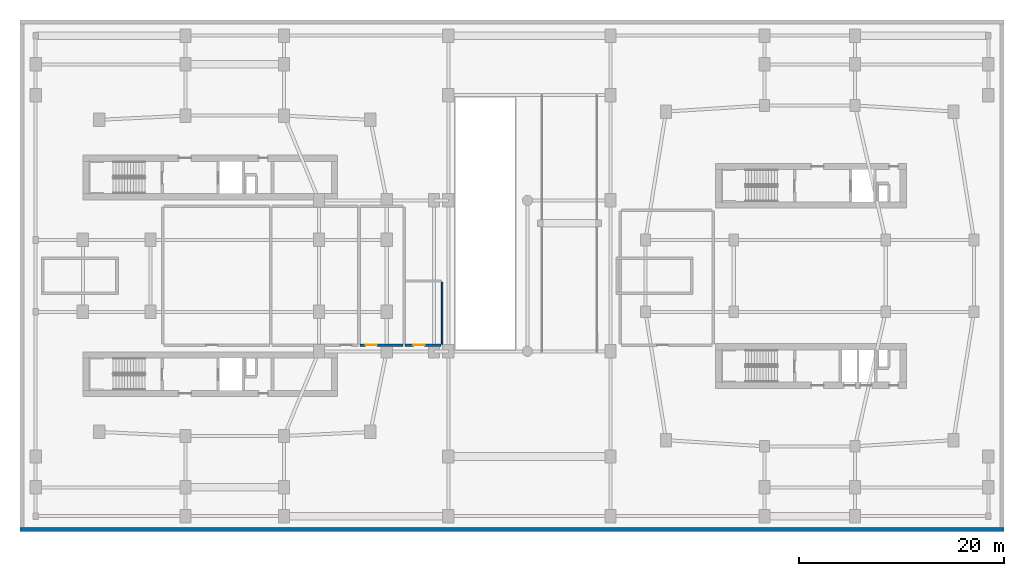
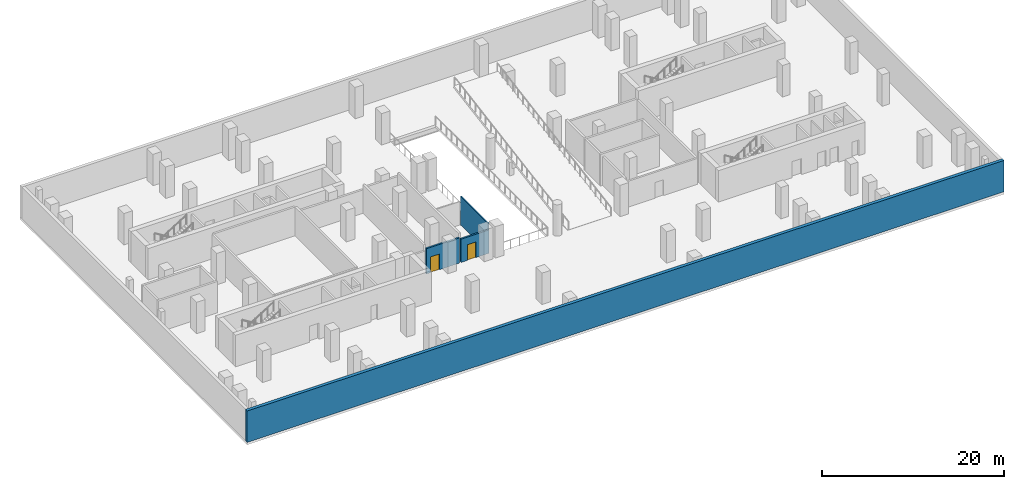
# One storey, part 5 of 13: 4 walls, 2 doors, 2 openings.
"""IFC4 building model written with IfcOpenShell, lengths in metres."""

from ifc_helpers import new_model, si_unit, derived_unit, direction, frame, frame_2d, origin, place, context, subcontext, project, spatial, rectangle, extrude, material, layer, layer_set, type_object, element, fill, save


model = new_model("IFC4")

# Units and contexts
model_context = context("Model", 3, precision=1e-05, world=origin(), true_north=direction((0.0, 1.0)))
body_context = subcontext(model_context, "Body", "Model", "MODEL_VIEW")
ifc_project = project(units=[si_unit("LENGTHUNIT", "METRE"), si_unit("AREAUNIT", "SQUARE_METRE"), si_unit("VOLUMEUNIT", "CUBIC_METRE"), si_unit("PLANEANGLEUNIT", "RADIAN"), si_unit("MASSUNIT", "GRAM", prefix="KILO"), derived_unit("THERMALTRANSMITTANCEUNIT", [(si_unit("POWERUNIT", "WATT"), 1), (si_unit("LENGTHUNIT", "METRE"), -2), (si_unit("THERMODYNAMICTEMPERATUREUNIT", "KELVIN"), -1)])], contexts=[model_context])

# Site, building, storey
site_placement = place(None, origin())
site = spatial("IfcSite", under=ifc_project, at=site_placement, CompositionType="ELEMENT")
building_placement = place(site_placement, origin())
building = spatial("IfcBuilding", under=site, at=building_placement, Name="Kivonza Crest Hotel", CompositionType="ELEMENT")
storey_placement = place(building_placement, frame((0.0, 0.0, -4.199951171875)))
storey = spatial("IfcBuildingStorey", under=building, at=storey_placement, Name="B1", CompositionType="ELEMENT", Elevation=-4.199951171875)

# Wall, opening, door
ifc_material_1 = material(Name="Autoclaved aerated concrete blockwork", Category="masonry")
ifc_layer_1 = layer(ifc_material_1, 0.219970703125)
ifc_layer_set_1 = layer_set([ifc_layer_1], Name="Autoclaved aerated concrete blockwork")
wall_type_1 = type_object("IfcWallType", Name="WL-ACOU-220", PredefinedType="SOLIDWALL", material=ifc_layer_set_1)
wall_1_placement = place(storey_placement, frame((33.199951171875, 18.25, 0.0), z_axis=(0.0, 0.0, 1.0), x_axis=(1.0, 0.0, 0.0)))
wall_1 = element("IfcWall", 1, at=wall_1_placement, inside=storey, type_object=wall_type_1, Name="B1 interior partition WA-B1-SUB-S", PredefinedType="SOLIDWALL", context=body_context, shape_type="SweptSolid", body=[
    extrude(rectangle(XDim=4.199951171875, YDim=0.219970703125, at=frame_2d((2.10009765625, 0.0))), origin(), (0.0, 0.0, 1.0), 3.375),
])
opening_1_placement = place(wall_1_placement, frame((0.534912109375, 0.0, 0.0)))
opening_1 = element("IfcOpeningElement", 2, at=opening_1_placement, cuts=wall_1, Name="Opening DF-60M", PredefinedType="OPENING", context=body_context, shape_type="SweptSolid", body=[
    extrude(rectangle(XDim=1.10009765625, YDim=2.10009765625, at=frame_2d((0.550048828125, 1.050048828125))), frame((0.0, 0.1201171875, 0.0), z_axis=(0.0, -1.0, 0.0), x_axis=(1.0, 0.0, 0.0)), (0.0, 0.0, 1.0), 0.239990234375),
])
ifc_material_2 = material(Name="Hardwood timber oak", Category="wood")
door_type = type_object("IfcDoorType", Name="DR-FD60-1100", OperationType="NOTDEFINED", PredefinedType="DOOR", material=ifc_material_2)
door_1_placement = place(opening_1_placement, origin())
door_1 = element("IfcDoor", 3, at=door_1_placement, inside=storey, type_object=door_type, Name="B1 HV Substation and Switchroom door", OperationType="SINGLE_SWING_LEFT", OverallHeight=2.10009765625, OverallWidth=1.10009765625, PredefinedType="DOOR", context=body_context, shape_type="SweptSolid", body=[
    extrude(rectangle(XDim=1.10009765625, YDim=2.10009765625, at=frame_2d((0.550048828125, 1.050048828125))), frame((0.0, 0.02490234375, 0.0), z_axis=(0.0, -1.0, 0.0), x_axis=(1.0, 0.0, 0.0)), (0.0, 0.0, 1.0), 0.050048828125),
])
fill(opening_1, door_1)

wall_2_placement = place(storey_placement, frame((37.60009765625, 18.25, 0.0), z_axis=(0.0, 0.0, 1.0), x_axis=(1.0, 0.0, 0.0)))
wall_2 = element("IfcWall", 4, at=wall_2_placement, inside=storey, type_object=wall_type_1, Name="B1 interior partition WA-B1-AWC-S", PredefinedType="SOLIDWALL", context=body_context, shape_type="SweptSolid", body=[
    extrude(rectangle(XDim=3.5, YDim=0.219970703125, at=frame_2d((1.75, 0.0))), origin(), (0.0, 0.0, 1.0), 3.125),
])
opening_2_placement = place(wall_2_placement, frame((0.7900390625, 0.0, 0.0)))
opening_2 = element("IfcOpeningElement", 5, at=opening_2_placement, cuts=wall_2, Name="Opening DF-60M", PredefinedType="OPENING", context=body_context, shape_type="SweptSolid", body=[
    extrude(rectangle(XDim=1.10009765625, YDim=2.10009765625, at=frame_2d((0.550048828125, 1.050048828125))), frame((0.0, 0.1201171875, 0.0), z_axis=(0.0, -1.0, 0.0), x_axis=(1.0, 0.0, 0.0)), (0.0, 0.0, 1.0), 0.239990234375),
])
door_2_placement = place(opening_2_placement, origin())
door_2 = element("IfcDoor", 6, at=door_2_placement, inside=storey, type_object=door_type, Name="B1 Basement Accessible WC door", OperationType="SINGLE_SWING_RIGHT", OverallHeight=2.10009765625, OverallWidth=1.10009765625, PredefinedType="DOOR", context=body_context, shape_type="SweptSolid", body=[
    extrude(rectangle(XDim=1.10009765625, YDim=2.10009765625, at=frame_2d((0.550048828125, 1.050048828125))), frame((0.0, 0.02490234375, 0.0), z_axis=(0.0, -1.0, 0.0), x_axis=(1.0, 0.0, 0.0)), (0.0, 0.0, 1.0), 0.050048828125),
])
fill(opening_2, door_2)

# Walls
ifc_material_3 = material(Name="Twin-stud acoustic gypsum board partition", Category="gypsum")
ifc_layer_2 = layer(ifc_material_3, 0.14990234375)
ifc_layer_set_2 = layer_set([ifc_layer_2], Name="Twin-stud acoustic gypsum board partition")
wall_type_2 = type_object("IfcWallType", Name="WL-PART-150", PredefinedType="PARTITIONING", material=ifc_layer_set_2)
wall_3_placement = place(storey_placement, frame((41.199951171875, 18.35009765625, 0.0), z_axis=(0.0, 0.0, 1.0), x_axis=(0.0, 1.0, 0.0)))
element("IfcWall", 7, at=wall_3_placement, inside=storey, type_object=wall_type_2, Name="B1 interior partition WP-B1-AWC-BE", PredefinedType="PARTITIONING", context=body_context, shape_type="SweptSolid", body=[
    extrude(rectangle(XDim=6.0498046875, YDim=0.14990234375, at=frame_2d((3.02490234375, 0.0))), origin(), (0.0, 0.0, 1.0), 3.849853515625),
])
ifc_material_4 = material(Name="Concrete C40/50", Category="concrete")
ifc_layer_3 = layer(ifc_material_4, 0.39990234375)
ifc_layer_set_3 = layer_set([ifc_layer_3], Name="Concrete C40/50")
wall_type_3 = type_object("IfcWallType", Name="WL-RET-400", PredefinedType="USERDEFINED", material=ifc_layer_set_3)
wall_4_placement = place(storey_placement, frame((0.080078125, 0.280029296875, 0.0), z_axis=(0.0, 0.0, 1.0), x_axis=(1.0, 0.0, 0.0)))
element("IfcWall", 8, at=wall_4_placement, inside=storey, type_object=wall_type_3, Name="B1 South basement retaining wall", ObjectType="RETAININGWALL", PredefinedType="USERDEFINED", context=body_context, shape_type="SweptSolid", body=[
    extrude(rectangle(XDim=95.83984375, YDim=0.39990234375, at=frame_2d((47.919921875, 0.0))), origin(), (0.0, 0.0, 1.0), 4.199951171875),
])

save(model, "model.ifc")
